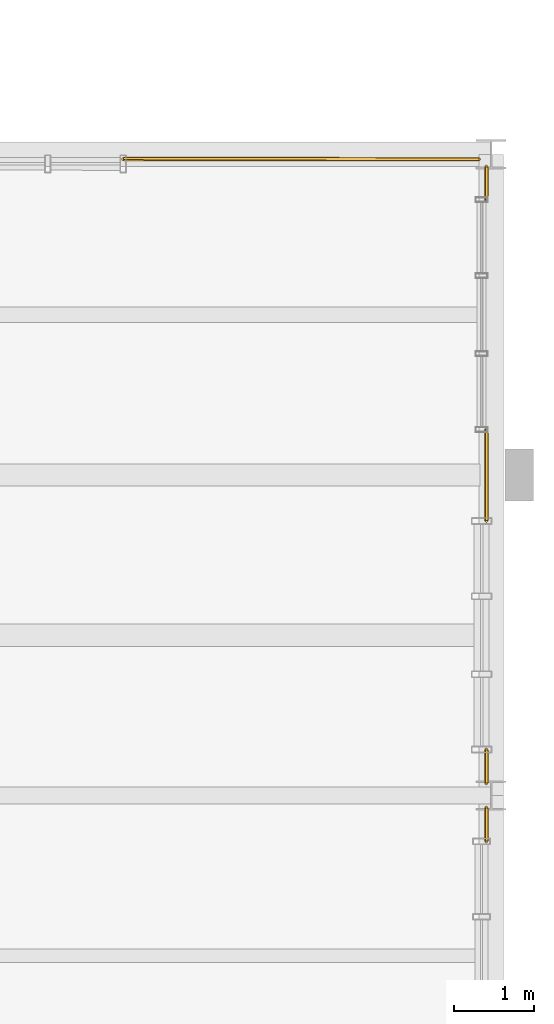
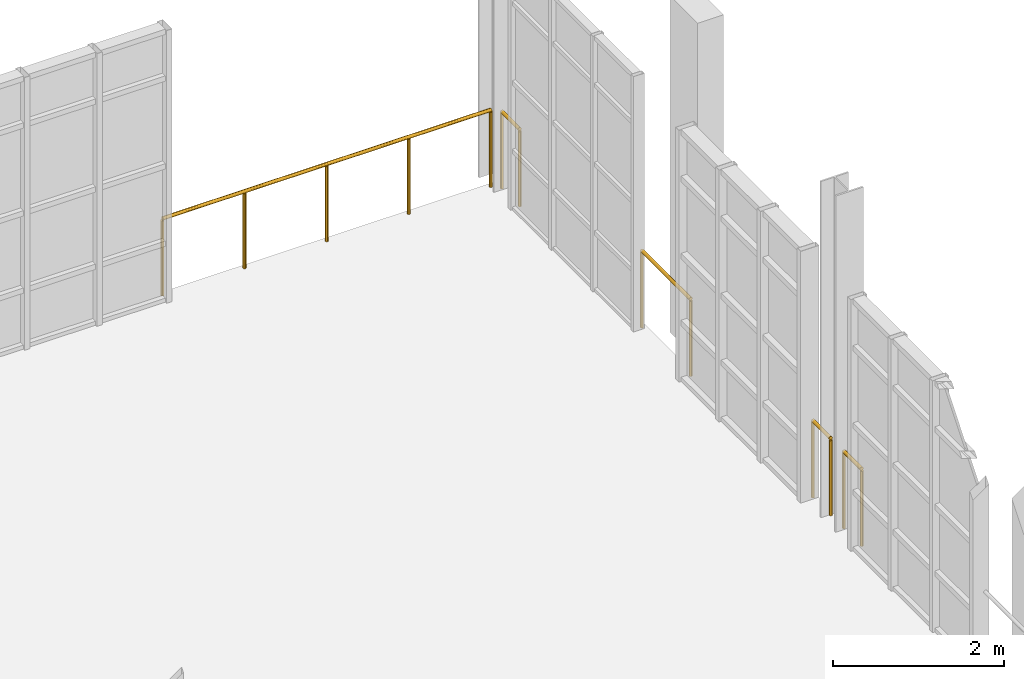
# One storey, part 122 of 122: 5 railings.
"""IFC4 building model written with IfcOpenShell, lengths in metres."""

from ifc_helpers import new_model, si_unit, direction, frame, origin, origin_2d, place, context, subcontext, project, spatial, circle, extrude, material, type_object, element, save


model = new_model("IFC4")

# Units and contexts
model_context = context("Model", 3, precision=1e-05, world=origin(), true_north=direction((0.0, 1.0)))
body_context = subcontext(model_context, "Body", "Model", "MODEL_VIEW")
ifc_project = project(units=[si_unit("LENGTHUNIT", "METRE"), si_unit("AREAUNIT", "SQUARE_METRE"), si_unit("VOLUMEUNIT", "CUBIC_METRE"), si_unit("PLANEANGLEUNIT", "RADIAN"), si_unit("MASSUNIT", "GRAM", prefix="KILO"), si_unit("THERMODYNAMICTEMPERATUREUNIT", "KELVIN"), si_unit("POWERUNIT", "WATT")], contexts=[model_context])

# Site, building, storey
site_placement = place(None, origin())
site = spatial("IfcSite", under=ifc_project, at=site_placement, CompositionType="ELEMENT")
building_placement = place(site_placement, origin())
building = spatial("IfcBuilding", under=site, at=building_placement, Name="Zelmaris Science Centre", CompositionType="ELEMENT")
storey_placement = place(building_placement, frame((0.0, 0.0, 10.800048828125)))
storey = spatial("IfcBuildingStorey", under=building, at=storey_placement, Name="L02", CompositionType="ELEMENT", Elevation=10.800048828125)

# Railings
ifc_material = material(Name="Architectural bronze alloy C28000")
railing_type = type_object("IfcRailingType", Name="Balustrade GD-01 H1120", PredefinedType="BALUSTRADE", material=ifc_material)
railing_1_placement = place(storey_placement, frame((139.409912109375, 55.942138671875, 0.0)))
element("IfcRailing", 1, at=railing_1_placement, inside=storey, type_object=railing_type, Name="L02 Perimeter safety balustrade 126", PredefinedType="BALUSTRADE", context=body_context, shape_type="SweptSolid", body=[
    extrude(circle(Radius=0.02392578125, at=origin_2d()), frame((0.0, 0.0, 1.09619140625), z_axis=(0.999999877328, -0.000495321899, 0.0), x_axis=(0.000495321899, 0.999999877328, 0.0)), (0.0, 0.0, 1.0), 4.43603515625),
    extrude(circle(Radius=0.02099609375, at=origin_2d()), origin(), (0.0, 0.0, 1.0), 1.072021484375),
    extrude(circle(Radius=0.02099609375, at=origin_2d()), frame((1.10888671875, -0.00048828125, 0.0)), (0.0, 0.0, 1.0), 1.072021484375),
    extrude(circle(Radius=0.02099609375, at=origin_2d()), frame((2.218017578125, -0.0009765625, 0.0)), (0.0, 0.0, 1.0), 1.072021484375),
    extrude(circle(Radius=0.02099609375, at=origin_2d()), frame((3.3271484375, -0.001708984375, 0.0)), (0.0, 0.0, 1.0), 1.072021484375),
    extrude(circle(Radius=0.02099609375, at=origin_2d()), frame((4.43603515625, -0.002197265625, 0.0)), (0.0, 0.0, 1.0), 1.072021484375),
])
railing_2_placement = place(storey_placement, frame((143.93994140625, 55.845947265625, 0.0)))
element("IfcRailing", 2, at=railing_2_placement, inside=storey, type_object=railing_type, Name="L02 Perimeter safety balustrade 127", PredefinedType="BALUSTRADE", context=body_context, shape_type="SweptSolid", body=[
    extrude(circle(Radius=0.02392578125, at=origin_2d()), frame((0.0, 0.0, 1.09619140625), z_axis=(0.0, -1.0, 0.0), x_axis=(1.0, 0.0, 0.0)), (0.0, 0.0, 1.0), 0.416015625),
    extrude(circle(Radius=0.02099609375, at=origin_2d()), origin(), (0.0, 0.0, 1.0), 1.072021484375),
    extrude(circle(Radius=0.02099609375, at=origin_2d()), frame((0.0, -0.416015625, 0.0)), (0.0, 0.0, 1.0), 1.072021484375),
])
railing_3_placement = place(storey_placement, frame((143.93994140625, 52.570068359375, 0.0)))
element("IfcRailing", 3, at=railing_3_placement, inside=storey, type_object=railing_type, Name="L02 Perimeter safety balustrade 128", PredefinedType="BALUSTRADE", context=body_context, shape_type="SweptSolid", body=[
    extrude(circle(Radius=0.02392578125, at=origin_2d()), frame((0.0, 0.0, 1.09619140625), z_axis=(0.0, -1.0, 0.0), x_axis=(1.0, 0.0, 0.0)), (0.0, 0.0, 1.0), 1.14013671875),
    extrude(circle(Radius=0.02099609375, at=origin_2d()), origin(), (0.0, 0.0, 1.0), 1.072021484375),
    extrude(circle(Radius=0.02099609375, at=origin_2d()), frame((0.0, -1.14013671875, 0.0)), (0.0, 0.0, 1.0), 1.072021484375),
])
for number, where, name in (
    (4, (143.93994140625, 48.570068359375, 0.0), "L02 Perimeter safety balustrade 129"),
    (5, (143.93994140625, 47.845947265625, 0.0), "L02 Perimeter safety balustrade 130"),
):
    element("IfcRailing", number, at=place(storey_placement, frame(where)), inside=storey, type_object=railing_type, Name=name, PredefinedType="BALUSTRADE", context=body_context, shape_type="SweptSolid", body=[
        extrude(circle(Radius=0.02392578125, at=origin_2d()), frame((0.0, 0.0, 1.09619140625), z_axis=(0.0, -1.0, 0.0), x_axis=(1.0, 0.0, 0.0)), (0.0, 0.0, 1.0), 0.416015625),
        extrude(circle(Radius=0.02099609375, at=origin_2d()), origin(), (0.0, 0.0, 1.0), 1.072021484375),
        extrude(circle(Radius=0.02099609375, at=origin_2d()), frame((0.0, -0.416015625, 0.0)), (0.0, 0.0, 1.0), 1.072021484375),
    ])

save(model, "model.ifc")
